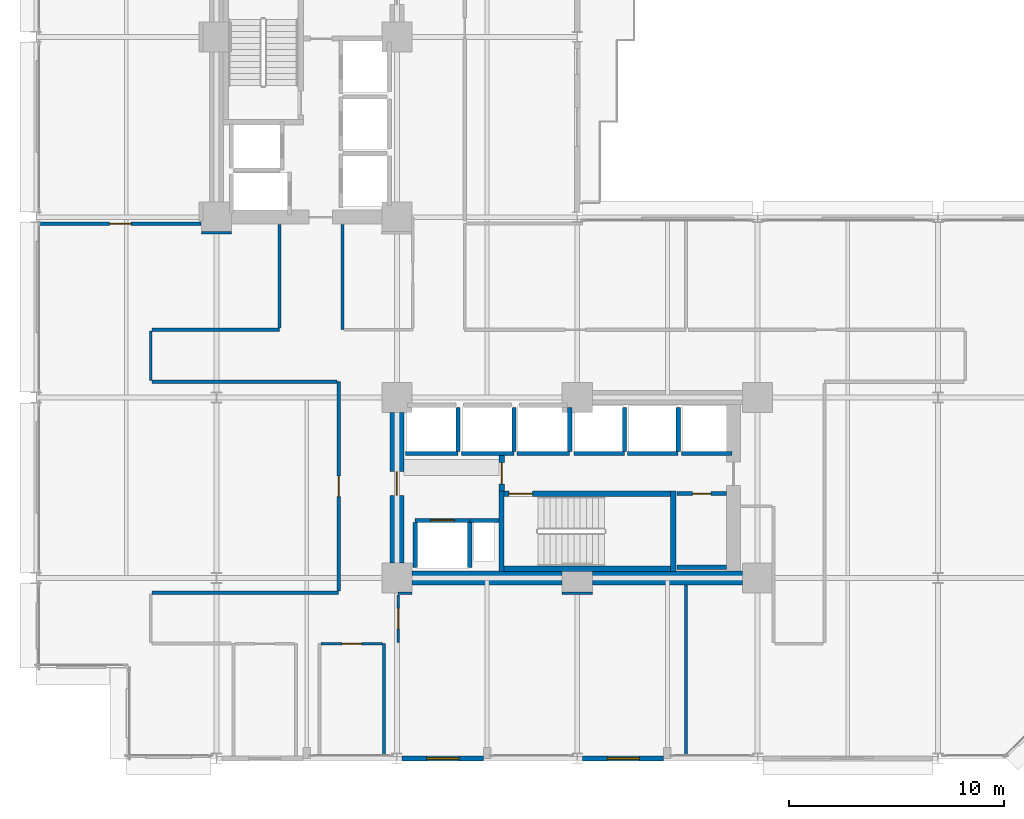
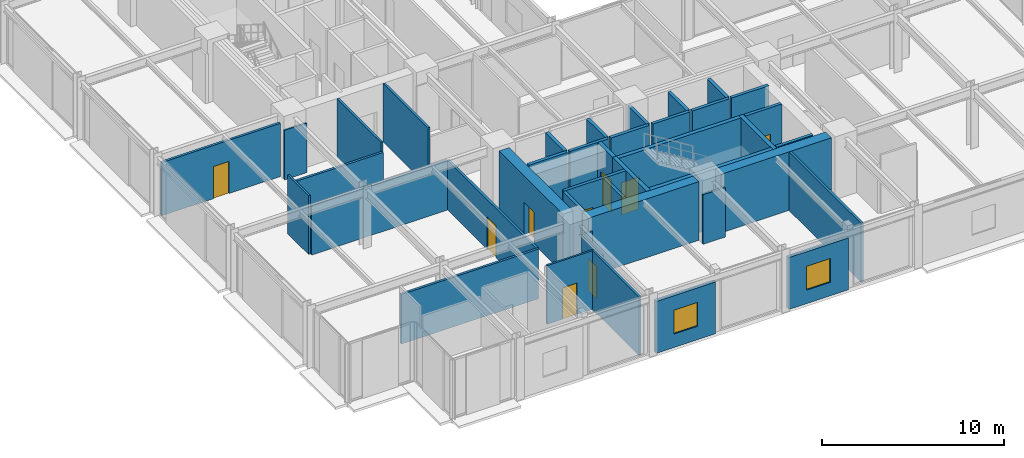
# One storey, part 20 of 25: 42 walls, 9 doors, 2 windows, 11 openings.
"""IFC4 building model written with IfcOpenShell, lengths in metres."""

from ifc_helpers import new_model, si_unit, direction, frame, frame_2d, origin, place, context, subcontext, project, spatial, rectangle, extrude, material, layer, layer_set, type_object, element, fill, save


model = new_model("IFC4")

# Units and contexts
model_context = context("Model", 3, precision=1e-05, world=origin(), true_north=direction((0.0, 1.0)))
body_context = subcontext(model_context, "Body", "Model", "MODEL_VIEW")
ifc_project = project(units=[si_unit("LENGTHUNIT", "METRE"), si_unit("AREAUNIT", "SQUARE_METRE"), si_unit("VOLUMEUNIT", "CUBIC_METRE"), si_unit("PLANEANGLEUNIT", "RADIAN"), si_unit("MASSUNIT", "GRAM", prefix="KILO")], contexts=[model_context])

# Site, building, storey
site_placement = place(None, origin())
site = spatial("IfcSite", under=ifc_project, at=site_placement, CompositionType="ELEMENT")
building_placement = place(site_placement, origin())
building = spatial("IfcBuilding", under=site, at=building_placement, Name="Nerrivon Quay Data Exchange", CompositionType="ELEMENT")
storey_placement = place(building_placement, frame((0.0, 0.0, 41.60009765625)))
storey = spatial("IfcBuildingStorey", under=building, at=storey_placement, Name="L09", CompositionType="ELEMENT", Elevation=41.60009765625)

# Wall, opening, window
ifc_material_1 = material(Name="Architectural terracotta precast concrete N50 (50 MPa)", Category="masonry")
ifc_layer_1 = layer(ifc_material_1, 0.239990234375)
ifc_layer_set_1 = layer_set([ifc_layer_1], Name="Architectural terracotta precast concrete N50 (50 MPa)")
wall_type_1 = type_object("IfcWallType", Name="EW-PREC-240", PredefinedType="STANDARD", material=ifc_layer_set_1)
wall_1_placement = place(storey_placement, frame((29.22509765625, 0.0, 0.0), z_axis=(0.0, 0.0, 1.0), x_axis=(-1.0, 0.0, 0.0)))
wall_1 = element("IfcWall", 1, at=wall_1_placement, inside=storey, type_object=wall_type_1, Name="L09 Podium Precast Spandrel Wall 5", PredefinedType="STANDARD", context=body_context, shape_type="SweptSolid", body=[
    extrude(rectangle(XDim=3.775146484375, YDim=0.239990234375, at=frame_2d((1.8876953125, 0.0))), origin(), (0.0, 0.0, 1.0), 3.470947265625),
])
opening_1_placement = place(wall_1_placement, frame((1.137451171875, 0.0, 0.89990234375)))
opening_1 = element("IfcOpeningElement", 2, at=opening_1_placement, cuts=wall_1, Name="Opening WN4", PredefinedType="OPENING", context=body_context, shape_type="SweptSolid", body=[
    extrude(rectangle(XDim=1.5, YDim=1.60009765625, at=frame_2d((0.75, 0.800048828125))), frame((0.0, 0.1298828125, 0.0), z_axis=(0.0, -1.0, 0.0), x_axis=(1.0, 0.0, 0.0)), (0.0, 0.0, 1.0), 0.260009765625),
])
ifc_material_2 = material(Name="Double-glazed low-E solar control glass", Category="glass")
window_type = type_object("IfcWindowType", Name="WIN-W4-1500x1600", PartitioningType="SINGLE_PANEL", PredefinedType="WINDOW", material=ifc_material_2)
window_1_placement = place(opening_1_placement, origin())
window_1 = element("IfcWindow", 3, at=window_1_placement, inside=storey, type_object=window_type, Name="L09 Solar Facade Window 5", OverallHeight=1.60009765625, OverallWidth=1.5, PartitioningType="SINGLE_PANEL", PredefinedType="WINDOW", context=body_context, shape_type="SweptSolid", body=[
    extrude(rectangle(XDim=1.5, YDim=1.60009765625, at=frame_2d((0.75, 0.800048828125))), frame((0.0, 0.030029296875, 0.0), z_axis=(0.0, -1.0, 0.0), x_axis=(1.0, 0.0, 0.0)), (0.0, 0.0, 1.0), 0.06005859375),
])
fill(opening_1, window_1)

wall_2_placement = place(storey_placement, frame((20.824951171875, 0.0, 0.0), z_axis=(0.0, 0.0, 1.0), x_axis=(-1.0, 0.0, 0.0)))
wall_2 = element("IfcWall", 4, at=wall_2_placement, inside=storey, type_object=wall_type_1, Name="L09 Podium Precast Spandrel Wall 7", PredefinedType="STANDARD", context=body_context, shape_type="SweptSolid", body=[
    extrude(rectangle(XDim=3.77490234375, YDim=0.239990234375, at=frame_2d((1.887451171875, 0.0))), origin(), (0.0, 0.0, 1.0), 3.470947265625),
])
opening_2_placement = place(wall_2_placement, frame((1.137451171875, 0.0, 0.89990234375)))
opening_2 = element("IfcOpeningElement", 5, at=opening_2_placement, cuts=wall_2, Name="Opening WN4", PredefinedType="OPENING", context=body_context, shape_type="SweptSolid", body=[
    extrude(rectangle(XDim=1.5, YDim=1.60009765625, at=frame_2d((0.75, 0.800048828125))), frame((0.0, 0.1298828125, 0.0), z_axis=(0.0, -1.0, 0.0), x_axis=(1.0, 0.0, 0.0)), (0.0, 0.0, 1.0), 0.260009765625),
])
window_2_placement = place(opening_2_placement, origin())
window_2 = element("IfcWindow", 6, at=window_2_placement, inside=storey, type_object=window_type, Name="L09 Solar Facade Window 7", OverallHeight=1.60009765625, OverallWidth=1.5, PartitioningType="SINGLE_PANEL", PredefinedType="WINDOW", context=body_context, shape_type="SweptSolid", body=[
    extrude(rectangle(XDim=1.5, YDim=1.60009765625, at=frame_2d((0.75, 0.800048828125))), frame((0.0, 0.030029296875, 0.0), z_axis=(0.0, -1.0, 0.0), x_axis=(1.0, 0.0, 0.0)), (0.0, 0.0, 1.0), 0.06005859375),
])
fill(opening_2, window_2)

# Walls
ifc_material_3 = material(Name="Concrete N80 (80 MPa)", Category="concrete")
ifc_layer_2 = layer(ifc_material_3, 0.64990234375)
ifc_layer_set_2 = layer_set([ifc_layer_2], Name="Concrete N80 (80 MPa)")
wall_type_2 = type_object("IfcWallType", Name="WALL-CW-850", PredefinedType="SHEAR", material=ifc_layer_set_2)
for number, where, z_axis, x_axis, name in (
    (7, (17.5, 8.39990234375, 0.0), (0.0, 0.0, 1.0), (1.0, 0.0, 0.0), "L09 East Split-Core Shear Wall ECW-S1"),
    (8, (25.89990234375, 8.39990234375, 0.0), (0.0, 0.0, 1.0), (1.0, 0.0, 0.0), "L09 East Split-Core Shear Wall ECW-S2"),
):
    element("IfcWall", number, at=place(storey_placement, frame(where, z_axis=z_axis, x_axis=x_axis)), inside=storey, type_object=wall_type_2, Name=name, PredefinedType="SHEAR", context=body_context, shape_type="SweptSolid", body=[
        extrude(rectangle(XDim=7.0, YDim=0.64990234375, at=frame_2d((3.5, 0.0))), origin(), (0.0, 0.0, 1.0), 3.9248046875),
    ])

# Wall, opening, door
wall_3_placement = place(storey_placement, frame((16.800048828125, 9.10009765625, 0.0), z_axis=(0.0, 0.0, 1.0), x_axis=(0.0, 1.0, 0.0)))
wall_3 = element("IfcWall", 9, at=wall_3_placement, inside=storey, type_object=wall_type_2, Name="L09 East Split-Core Shear Wall ECW-W1", PredefinedType="SHEAR", context=body_context, shape_type="SweptSolid", body=[
    extrude(rectangle(XDim=7.0, YDim=0.64990234375, at=frame_2d((3.5, 0.0))), origin(), (0.0, 0.0, 1.0), 3.9248046875),
])
opening_3_placement = place(wall_3_placement, frame((3.14990234375, 0.0, 0.0)))
opening_3 = element("IfcOpeningElement", 10, at=opening_3_placement, cuts=wall_3, Name="Opening FD-120", PredefinedType="OPENING", context=body_context, shape_type="SweptSolid", body=[
    extrude(rectangle(XDim=1.10009765625, YDim=2.14990234375, at=frame_2d((0.550048828125, 1.074951171875))), frame((0.0, 0.3349609375, 0.0), z_axis=(0.0, -1.0, 0.0), x_axis=(1.0, 0.0, 0.0)), (0.0, 0.0, 1.0), 0.669921875),
])
ifc_material_4 = material(Name="Powder-coated galvanized steel sheet", Category="steel")
door_type_1 = type_object("IfcDoorType", Name="DR-FD120-1100", OperationType="NOTDEFINED", PredefinedType="DOOR", material=ifc_material_4)
door_1_placement = place(opening_3_placement, origin())
door_1 = element("IfcDoor", 11, at=door_1_placement, inside=storey, type_object=door_type_1, Name="L09 East Core Lobby Fire Door", OperationType="SINGLE_SWING_RIGHT", OverallHeight=2.14990234375, OverallWidth=1.10009765625, PredefinedType="DOOR", context=body_context, shape_type="SweptSolid", body=[
    extrude(rectangle(XDim=1.10009765625, YDim=2.14990234375, at=frame_2d((0.550048828125, 1.074951171875))), frame((0.0, 0.02490234375, 0.0), z_axis=(0.0, -1.0, 0.0), x_axis=(1.0, 0.0, 0.0)), (0.0, 0.0, 1.0), 0.050048828125),
])
fill(opening_3, door_1)

# Wall
ifc_material_5 = material(Name="Gypsum plasterboard on cold-formed framing", Category="gypsum")
ifc_layer_3 = layer(ifc_material_5, 0.199951171875)
ifc_layer_set_3 = layer_set([ifc_layer_3], Name="Gypsum plasterboard on cold-formed framing")
wall_type_3 = type_object("IfcWallType", Name="WALL-FW-200", PredefinedType="PARTITIONING", material=ifc_layer_set_3)
wall_4_placement = place(storey_placement, frame((20.199951171875, 11.080078125, 0.0), z_axis=(0.0, 0.0, 1.0), x_axis=(1.0, 0.0, 0.0)))
element("IfcWall", 12, at=wall_4_placement, inside=storey, type_object=wall_type_3, Name="L09 East Core MEP Riser Shaft Wall N", PredefinedType="PARTITIONING", context=body_context, shape_type="SweptSolid", body=[
    extrude(rectangle(XDim=1.35009765625, YDim=0.199951171875, at=frame_2d((0.675048828125, 0.0))), origin(), (0.0, 0.0, 1.0), 3.9248046875),
])

# Wall, opening, door
wall_5_placement = place(storey_placement, frame((17.64990234375, 11.080078125, 0.0), z_axis=(0.0, 0.0, 1.0), x_axis=(1.0, 0.0, 0.0)))
wall_5 = element("IfcWall", 13, at=wall_5_placement, inside=storey, type_object=wall_type_3, Name="L09 Lift Front Wall FFL-2", PredefinedType="PARTITIONING", context=body_context, shape_type="SweptSolid", body=[
    extrude(rectangle(XDim=2.550048828125, YDim=0.199951171875, at=frame_2d((1.27490234375, 0.0))), origin(), (0.0, 0.0, 1.0), 3.9248046875),
])
opening_4_placement = place(wall_5_placement, frame((0.72509765625, 0.0, 0.0)))
opening_4 = element("IfcOpeningElement", 14, at=opening_4_placement, cuts=wall_5, Name="Opening LD-120", PredefinedType="OPENING", context=body_context, shape_type="SweptSolid", body=[
    extrude(rectangle(XDim=1.10009765625, YDim=2.199951171875, at=frame_2d((0.550048828125, 1.10009765625))), frame((0.0, 0.10986328125, 0.0), z_axis=(0.0, -1.0, 0.0), x_axis=(1.0, 0.0, 0.0)), (0.0, 0.0, 1.0), 0.219970703125),
])
door_type_2 = type_object("IfcDoorType", Name="DR-LIFT-LD120", OperationType="DOUBLE_DOOR_SLIDING", PredefinedType="DOOR", material=ifc_material_4)
door_2_placement = place(opening_4_placement, origin())
door_2 = element("IfcDoor", 15, at=door_2_placement, inside=storey, type_object=door_type_2, Name="L09 Lift Landing Sliding Door FFL-2", OperationType="DOUBLE_DOOR_SLIDING", OverallHeight=2.199951171875, OverallWidth=1.10009765625, PredefinedType="DOOR", context=body_context, shape_type="SweptSolid", body=[
    extrude(rectangle(XDim=1.10009765625, YDim=2.199951171875, at=frame_2d((0.550048828125, 1.10009765625))), frame((0.0, 0.02490234375, 0.0), z_axis=(0.0, -1.0, 0.0), x_axis=(1.0, 0.0, 0.0)), (0.0, 0.0, 1.0), 0.050048828125),
])
fill(opening_4, door_2)

# Walls
for number, where, z_axis, x_axis, name in (
    (16, (20.199951171875, 8.8798828125, 0.0), (0.0, 0.0, 1.0), (0.0, 1.0, 0.0), "L09 Lift Shaft Wall FFL-2 EAST"),
    (17, (17.64990234375, 8.8798828125, 0.0), (0.0, 0.0, 1.0), (0.0, 1.0, 0.0), "L09 Lift Shaft Wall FFL-2 WEST"),
):
    element("IfcWall", number, at=place(storey_placement, frame(where, z_axis=z_axis, x_axis=x_axis)), inside=storey, type_object=wall_type_3, Name=name, PredefinedType="PARTITIONING", context=body_context, shape_type="SweptSolid", body=[
        extrude(rectangle(XDim=2.10009765625, YDim=0.199951171875, at=frame_2d((1.050048828125, 0.0))), origin(), (0.0, 0.0, 1.0), 3.9248046875),
    ])
wall_6_placement = place(storey_placement, frame((17.199951171875, 14.199951171875, 0.0), z_axis=(0.0, 0.0, 1.0), x_axis=(1.0, 0.0, 0.0)))
element("IfcWall", 18, at=wall_6_placement, inside=storey, type_object=wall_type_3, Name="L09 Lift Front Wall PL4", PredefinedType="PARTITIONING", context=body_context, shape_type="SweptSolid", body=[
    extrude(rectangle(XDim=2.449951171875, YDim=0.199951171875, at=frame_2d((1.22509765625, 0.0))), origin(), (0.0, 0.0, 1.0), 3.9248046875),
])
wall_7_placement = place(storey_placement, frame((19.64990234375, 14.300048828125, 0.0), z_axis=(0.0, 0.0, 1.0), x_axis=(0.0, 1.0, 0.0)))
element("IfcWall", 19, at=wall_7_placement, inside=storey, type_object=wall_type_3, Name="L09 Lift Shaft Wall PL4 EAST", PredefinedType="PARTITIONING", context=body_context, shape_type="SweptSolid", body=[
    extrude(rectangle(XDim=2.050048828125, YDim=0.199951171875, at=frame_2d((1.02490234375, 0.0))), origin(), (0.0, 0.0, 1.0), 3.9248046875),
])
wall_8_placement = place(storey_placement, frame((19.800048828125, 14.199951171875, 0.0), z_axis=(0.0, 0.0, 1.0), x_axis=(1.0, 0.0, 0.0)))
element("IfcWall", 20, at=wall_8_placement, inside=storey, type_object=wall_type_3, Name="L09 Lift Front Wall PL5", PredefinedType="PARTITIONING", context=body_context, shape_type="SweptSolid", body=[
    extrude(rectangle(XDim=2.449951171875, YDim=0.199951171875, at=frame_2d((1.22509765625, 0.0))), origin(), (0.0, 0.0, 1.0), 3.9248046875),
])
wall_9_placement = place(storey_placement, frame((22.25, 14.300048828125, 0.0), z_axis=(0.0, 0.0, 1.0), x_axis=(0.0, 1.0, 0.0)))
element("IfcWall", 21, at=wall_9_placement, inside=storey, type_object=wall_type_3, Name="L09 Lift Shaft Wall PL5 EAST", PredefinedType="PARTITIONING", context=body_context, shape_type="SweptSolid", body=[
    extrude(rectangle(XDim=2.050048828125, YDim=0.199951171875, at=frame_2d((1.02490234375, 0.0))), origin(), (0.0, 0.0, 1.0), 3.9248046875),
])
wall_10_placement = place(storey_placement, frame((22.39990234375, 14.199951171875, 0.0), z_axis=(0.0, 0.0, 1.0), x_axis=(1.0, 0.0, 0.0)))
element("IfcWall", 22, at=wall_10_placement, inside=storey, type_object=wall_type_3, Name="L09 Lift Front Wall PL6", PredefinedType="PARTITIONING", context=body_context, shape_type="SweptSolid", body=[
    extrude(rectangle(XDim=2.4501953125, YDim=0.199951171875, at=frame_2d((1.22509765625, 0.0))), origin(), (0.0, 0.0, 1.0), 3.9248046875),
])
wall_11_placement = place(storey_placement, frame((24.85009765625, 14.300048828125, 0.0), z_axis=(0.0, 0.0, 1.0), x_axis=(0.0, 1.0, 0.0)))
element("IfcWall", 23, at=wall_11_placement, inside=storey, type_object=wall_type_3, Name="L09 Lift Shaft Wall PL6 EAST", PredefinedType="PARTITIONING", context=body_context, shape_type="SweptSolid", body=[
    extrude(rectangle(XDim=2.050048828125, YDim=0.199951171875, at=frame_2d((1.02490234375, 0.0))), origin(), (0.0, 0.0, 1.0), 3.9248046875),
])
wall_12_placement = place(storey_placement, frame((25.050048828125, 14.199951171875, 0.0), z_axis=(0.0, 0.0, 1.0), x_axis=(1.0, 0.0, 0.0)))
element("IfcWall", 24, at=wall_12_placement, inside=storey, type_object=wall_type_3, Name="L09 Lift Front Wall PL7", PredefinedType="PARTITIONING", context=body_context, shape_type="SweptSolid", body=[
    extrude(rectangle(XDim=2.349853515625, YDim=0.199951171875, at=frame_2d((1.1748046875, 0.0))), origin(), (0.0, 0.0, 1.0), 3.9248046875),
])
wall_13_placement = place(storey_placement, frame((27.39990234375, 14.300048828125, 0.0), z_axis=(0.0, 0.0, 1.0), x_axis=(0.0, 1.0, 0.0)))
element("IfcWall", 25, at=wall_13_placement, inside=storey, type_object=wall_type_3, Name="L09 Lift Shaft Wall PL7 EAST", PredefinedType="PARTITIONING", context=body_context, shape_type="SweptSolid", body=[
    extrude(rectangle(XDim=2.050048828125, YDim=0.199951171875, at=frame_2d((1.02490234375, 0.0))), origin(), (0.0, 0.0, 1.0), 3.9248046875),
])
wall_14_placement = place(storey_placement, frame((27.550048828125, 14.199951171875, 0.0), z_axis=(0.0, 0.0, 1.0), x_axis=(1.0, 0.0, 0.0)))
element("IfcWall", 26, at=wall_14_placement, inside=storey, type_object=wall_type_3, Name="L09 Lift Front Wall PL8", PredefinedType="PARTITIONING", context=body_context, shape_type="SweptSolid", body=[
    extrude(rectangle(XDim=2.349853515625, YDim=0.199951171875, at=frame_2d((1.1748046875, 0.0))), origin(), (0.0, 0.0, 1.0), 3.9248046875),
])
wall_15_placement = place(storey_placement, frame((29.89990234375, 14.300048828125, 0.0), z_axis=(0.0, 0.0, 1.0), x_axis=(0.0, 1.0, 0.0)))
element("IfcWall", 27, at=wall_15_placement, inside=storey, type_object=wall_type_3, Name="L09 Lift Shaft Wall PL8 EAST", PredefinedType="PARTITIONING", context=body_context, shape_type="SweptSolid", body=[
    extrude(rectangle(XDim=2.050048828125, YDim=0.199951171875, at=frame_2d((1.02490234375, 0.0))), origin(), (0.0, 0.0, 1.0), 3.9248046875),
])
wall_16_placement = place(storey_placement, frame((30.050048828125, 14.199951171875, 0.0), z_axis=(0.0, 0.0, 1.0), x_axis=(1.0, 0.0, 0.0)))
element("IfcWall", 28, at=wall_16_placement, inside=storey, type_object=wall_type_3, Name="L09 Lift Front Wall PL9", PredefinedType="PARTITIONING", context=body_context, shape_type="SweptSolid", body=[
    extrude(rectangle(XDim=2.349853515625, YDim=0.199951171875, at=frame_2d((1.1748046875, 0.0))), origin(), (0.0, 0.0, 1.0), 3.9248046875),
])

# Wall, opening, door
wall_17_placement = place(storey_placement, frame((32.14599609375, 12.330078125, 0.0), z_axis=(0.0, 0.0, 1.0), x_axis=(-1.0, 0.0, 0.0)))
wall_17 = element("IfcWall", 29, at=wall_17_placement, inside=storey, type_object=wall_type_3, Name="L09 Partition East Supply Store", PredefinedType="PARTITIONING", context=body_context, shape_type="SweptSolid", body=[
    extrude(rectangle(XDim=2.2958984375, YDim=0.199951171875, at=frame_2d((1.14794921875, 0.0))), origin(), (0.0, 0.0, 1.0), 3.9248046875),
])
opening_5_placement = place(wall_17_placement, frame((0.722900390625, 0.0, 0.0)))
opening_5 = element("IfcOpeningElement", 30, at=opening_5_placement, cuts=wall_17, Name="Opening FD-60S", PredefinedType="OPENING", context=body_context, shape_type="SweptSolid", body=[
    extrude(rectangle(XDim=0.85009765625, YDim=2.14990234375, at=frame_2d((0.425048828125, 1.074951171875))), frame((0.0, 0.10986328125, 0.0), z_axis=(0.0, -1.0, 0.0), x_axis=(1.0, 0.0, 0.0)), (0.0, 0.0, 1.0), 0.219970703125),
])
ifc_material_6 = material(Name="Engineered hardwood timber", Category="wood")
door_type_3 = type_object("IfcDoorType", Name="DR-FD60-850", OperationType="NOTDEFINED", PredefinedType="DOOR", material=ifc_material_6)
door_3_placement = place(opening_5_placement, origin())
door_3 = element("IfcDoor", 31, at=door_3_placement, inside=storey, type_object=door_type_3, Name="L09 Door East Supply Store", OperationType="SINGLE_SWING_LEFT", OverallHeight=2.14990234375, OverallWidth=0.85009765625, PredefinedType="DOOR", context=body_context, shape_type="SweptSolid", body=[
    extrude(rectangle(XDim=0.85009765625, YDim=2.14990234375, at=frame_2d((0.425048828125, 1.074951171875))), frame((0.0, 0.02490234375, 0.0), z_axis=(0.0, -1.0, 0.0), x_axis=(1.0, 0.0, 0.0)), (0.0, 0.0, 1.0), 0.050048828125),
])
fill(opening_5, door_3)

# Wall
wall_18_placement = place(storey_placement, frame((29.85009765625, 8.89990234375, 0.0), z_axis=(0.0, 0.0, 1.0), x_axis=(1.0, 0.0, 0.0)))
element("IfcWall", 32, at=wall_18_placement, inside=storey, type_object=wall_type_3, Name="L09 Partition East Supply Store", PredefinedType="PARTITIONING", context=body_context, shape_type="SweptSolid", body=[
    extrude(rectangle(XDim=2.2958984375, YDim=0.199951171875, at=frame_2d((1.14794921875, 0.0))), origin(), (0.0, 0.0, 1.0), 3.9248046875),
])

# Wall, opening, door
ifc_layer_4 = layer(ifc_material_5, 0.1201171875)
ifc_layer_set_4 = layer_set([ifc_layer_4], Name="Gypsum plasterboard on cold-formed framing")
wall_type_4 = type_object("IfcWallType", Name="WALL-PT-120", PredefinedType="PARTITIONING", material=ifc_layer_set_4)
wall_19_placement = place(storey_placement, frame((16.12841796875, 5.340087890625, 0.0), z_axis=(0.0, 0.0, 1.0), x_axis=(-1.0, 0.0, 0.0)))
wall_19 = element("IfcWall", 33, at=wall_19_placement, inside=storey, type_object=wall_type_4, Name="L09 Partition Accessible Toilet", PredefinedType="PARTITIONING", context=body_context, shape_type="SweptSolid", body=[
    extrude(rectangle(XDim=2.85693359375, YDim=0.1201171875, at=frame_2d((1.428466796875, 0.0))), origin(), (0.0, 0.0, 1.0), 3.9248046875),
])
opening_6_placement = place(wall_19_placement, frame((0.968505859375, 0.0, 0.0)))
opening_6 = element("IfcOpeningElement", 34, at=opening_6_placement, cuts=wall_19, Name="Opening D-WC", PredefinedType="OPENING", context=body_context, shape_type="SweptSolid", body=[
    extrude(rectangle(XDim=0.919921875, YDim=2.10009765625, at=frame_2d((0.4599609375, 1.050048828125))), frame((0.0, 0.070068359375, 0.0), z_axis=(0.0, -1.0, 0.0), x_axis=(1.0, 0.0, 0.0)), (0.0, 0.0, 1.0), 0.14013671875),
])
door_type_4 = type_object("IfcDoorType", Name="DR-WC-920", OperationType="NOTDEFINED", PredefinedType="DOOR", material=ifc_material_6)
door_4_placement = place(opening_6_placement, origin())
door_4 = element("IfcDoor", 35, at=door_4_placement, inside=storey, type_object=door_type_4, Name="L09 Door Accessible Toilet", OperationType="SINGLE_SWING_RIGHT", OverallHeight=2.10009765625, OverallWidth=0.919921875, PredefinedType="DOOR", context=body_context, shape_type="SweptSolid", body=[
    extrude(rectangle(XDim=0.919921875, YDim=2.10009765625, at=frame_2d((0.4599609375, 1.050048828125))), frame((0.0, 0.02490234375, 0.0), z_axis=(0.0, -1.0, 0.0), x_axis=(1.0, 0.0, 0.0)), (0.0, 0.0, 1.0), 0.050048828125),
])
fill(opening_6, door_4)

# Walls
wall_20_placement = place(storey_placement, frame((25.90576171875, 7.680908203125, 0.0), z_axis=(0.0, 0.0, 1.0), x_axis=(-0.999999758706, -0.000694685487, 0.0)))
element("IfcWall", 36, at=wall_20_placement, inside=storey, type_object=wall_type_4, Name="L09 Partition Peering Huddle Meeting Room", PredefinedType="PARTITIONING", context=body_context, shape_type="SweptSolid", body=[
    extrude(rectangle(XDim=1.40576171875, YDim=0.1201171875, at=frame_2d((0.702880859375, 0.0))), origin(), (0.0, 0.0, 1.0), 3.322998046875),
])
wall_21_placement = place(storey_placement, frame((17.5, 7.679931640625, 0.0), z_axis=(0.0, 0.0, 1.0), x_axis=(-1.0, 0.0, 0.0)))
element("IfcWall", 37, at=wall_21_placement, inside=storey, type_object=wall_type_4, Name="L09 Partition Peering Huddle Meeting Room", PredefinedType="PARTITIONING", context=body_context, shape_type="SweptSolid", body=[
    extrude(rectangle(XDim=0.639892578125, YDim=0.1201171875, at=frame_2d((0.31982421875, 0.0))), origin(), (0.0, 0.0, 1.0), 3.322998046875),
])

# Wall, opening, door
wall_22_placement = place(storey_placement, frame((16.860107421875, 7.615966796875, 0.0), z_axis=(0.0, 0.0, 1.0), x_axis=(0.0, -1.0, 0.0)))
wall_22 = element("IfcWall", 38, at=wall_22_placement, inside=storey, type_object=wall_type_4, Name="L09 Partition Peering Huddle Meeting Room", PredefinedType="PARTITIONING", context=body_context, shape_type="SweptSolid", body=[
    extrude(rectangle(XDim=2.216064453125, YDim=0.1201171875, at=frame_2d((1.10791015625, 0.0))), origin(), (0.0, 0.0, 1.0), 3.322998046875),
])
opening_7_placement = place(wall_22_placement, frame((0.633056640625, 0.0, 0.0)))
opening_7 = element("IfcOpeningElement", 39, at=opening_7_placement, cuts=wall_22, Name="Opening D-01", PredefinedType="OPENING", context=body_context, shape_type="SweptSolid", body=[
    extrude(rectangle(XDim=0.949951171875, YDim=2.14990234375, at=frame_2d((0.47509765625, 1.074951171875))), frame((0.0, 0.070068359375, 0.0), z_axis=(0.0, -1.0, 0.0), x_axis=(1.0, 0.0, 0.0)), (0.0, 0.0, 1.0), 0.14013671875),
])
door_type_5 = type_object("IfcDoorType", Name="DR-INT-950", OperationType="NOTDEFINED", PredefinedType="DOOR", material=ifc_material_6)
door_5_placement = place(opening_7_placement, origin())
door_5 = element("IfcDoor", 40, at=door_5_placement, inside=storey, type_object=door_type_5, Name="L09 Door Peering Huddle Meeting Room", OperationType="SINGLE_SWING_RIGHT", OverallHeight=2.14990234375, OverallWidth=0.949951171875, PredefinedType="DOOR", context=body_context, shape_type="SweptSolid", body=[
    extrude(rectangle(XDim=0.949951171875, YDim=2.14990234375, at=frame_2d((0.47509765625, 1.074951171875))), frame((0.0, 0.02490234375, 0.0), z_axis=(0.0, -1.0, 0.0), x_axis=(1.0, 0.0, 0.0)), (0.0, 0.0, 1.0), 0.050048828125),
])
fill(opening_7, door_5)

# Walls
wall_23_placement = place(storey_placement, frame((9.105712890625, 24.48095703125, 0.0), z_axis=(0.0, 0.0, 1.0), x_axis=(-0.999999758706, -0.000694685487, 0.0)))
element("IfcWall", 41, at=wall_23_placement, inside=storey, type_object=wall_type_4, Name="L09 Partition Cloud Compute Workspace 1", PredefinedType="PARTITIONING", context=body_context, shape_type="SweptSolid", body=[
    extrude(rectangle(XDim=1.40576171875, YDim=0.1201171875, at=frame_2d((0.702880859375, 0.0))), origin(), (0.0, 0.0, 1.0), 3.322998046875),
])
wall_24_placement = place(storey_placement, frame((5.340087890625, 17.60009765625, 0.0), z_axis=(0.0, 0.0, 1.0), x_axis=(0.0, 1.0, 0.0)))
element("IfcWall", 42, at=wall_24_placement, inside=storey, type_object=wall_type_4, Name="L09 Partition Cloud Compute Workspace 1", PredefinedType="PARTITIONING", context=body_context, shape_type="SweptSolid", body=[
    extrude(rectangle(XDim=2.2998046875, YDim=0.1201171875, at=frame_2d((1.14990234375, 0.0))), origin(), (0.0, 0.0, 1.0), 3.9248046875),
])
ifc_layer_5 = layer(ifc_material_5, 0.135009765625)
ifc_layer_set_5 = layer_set([ifc_layer_5], Name="Gypsum plasterboard on cold-formed framing")
wall_type_5 = type_object("IfcWallType", Name="WALL-PT-135", PredefinedType="PARTITIONING", material=ifc_layer_set_5)
wall_25_placement = place(storey_placement, frame((16.199951171875, 0.1689453125, 0.0), z_axis=(0.0, 0.0, 1.0), x_axis=(0.0, 1.0, 0.0)))
element("IfcWall", 43, at=wall_25_placement, inside=storey, type_object=wall_type_5, Name="L09 Partition Accessible Toilet", PredefinedType="PARTITIONING", context=body_context, shape_type="SweptSolid", body=[
    extrude(rectangle(XDim=5.171142578125, YDim=0.135009765625, at=frame_2d((2.58544921875, 0.0))), origin(), (0.0, 0.0, 1.0), 3.9248046875),
])
wall_26_placement = place(storey_placement, frame((14.260009765625, 24.87109375, 0.0), z_axis=(0.0, 0.0, 1.0), x_axis=(0.0, -1.0, 0.0)))
element("IfcWall", 44, at=wall_26_placement, inside=storey, type_object=wall_type_5, Name="L09 Partition Staff Pantry", PredefinedType="PARTITIONING", context=body_context, shape_type="SweptSolid", body=[
    extrude(rectangle(XDim=4.9111328125, YDim=0.135009765625, at=frame_2d((2.45556640625, 0.0))), origin(), (0.0, 0.0, 1.0), 3.9248046875),
])
wall_27_placement = place(storey_placement, frame((11.340087890625, 20.0390625, 0.0), z_axis=(0.0, 0.0, 1.0), x_axis=(0.0, 1.0, 0.0)))
element("IfcWall", 45, at=wall_27_placement, inside=storey, type_object=wall_type_5, Name="L09 Partition Cloud Compute Workspace 1", PredefinedType="PARTITIONING", context=body_context, shape_type="SweptSolid", body=[
    extrude(rectangle(XDim=4.83203125, YDim=0.135009765625, at=frame_2d((2.416015625, 0.0))), origin(), (0.0, 0.0, 1.0), 3.9248046875),
])
ifc_layer_6 = layer(ifc_material_5, 0.14990234375)
ifc_layer_set_6 = layer_set([ifc_layer_6], Name="Gypsum plasterboard on cold-formed framing")
wall_type_6 = type_object("IfcWallType", Name="WALL-PT-150", PredefinedType="PARTITIONING", material=ifc_layer_set_6)
wall_28_placement = place(storey_placement, frame((30.268798828125, 0.1689453125, 0.0), z_axis=(0.0, 0.0, 1.0), x_axis=(0.0, 1.0, 0.0)))
element("IfcWall", 46, at=wall_28_placement, inside=storey, type_object=wall_type_6, Name="L09 Partition Peering Huddle Meeting Room", PredefinedType="PARTITIONING", context=body_context, shape_type="SweptSolid", body=[
    extrude(rectangle(XDim=7.902099609375, YDim=0.14990234375, at=frame_2d((3.951171875, 0.0))), origin(), (0.0, 0.0, 1.0), 3.9248046875),
])

# Wall, opening, door
wall_29_placement = place(storey_placement, frame((7.679931640625, 24.90087890625, 0.0), z_axis=(0.0, 0.0, 1.0), x_axis=(-1.0, 0.0, 0.0)))
wall_29 = element("IfcWall", 47, at=wall_29_placement, inside=storey, type_object=wall_type_6, Name="L09 Partition Cloud Compute Workspace 1", PredefinedType="PARTITIONING", context=body_context, shape_type="SweptSolid", body=[
    extrude(rectangle(XDim=7.510986328125, YDim=0.14990234375, at=frame_2d((3.75537109375, 0.0))), origin(), (0.0, 0.0, 1.0), 3.56591796875),
])
opening_8_placement = place(wall_29_placement, frame((3.255615234375, 0.0, 0.0)))
opening_8 = element("IfcOpeningElement", 48, at=opening_8_placement, cuts=wall_29, Name="Opening FD-60", PredefinedType="OPENING", context=body_context, shape_type="SweptSolid", body=[
    extrude(rectangle(XDim=1.0, YDim=2.14990234375, at=frame_2d((0.5, 1.074951171875))), frame((0.0, 0.0849609375, 0.0), z_axis=(0.0, -1.0, 0.0), x_axis=(1.0, 0.0, 0.0)), (0.0, 0.0, 1.0), 0.169921875),
])
door_type_6 = type_object("IfcDoorType", Name="DR-FD60-1000", OperationType="NOTDEFINED", PredefinedType="DOOR", material=ifc_material_6)
door_6_placement = place(opening_8_placement, origin())
door_6 = element("IfcDoor", 49, at=door_6_placement, inside=storey, type_object=door_type_6, Name="L09 Door Colocation Data Workspace 1", OperationType="SINGLE_SWING_LEFT", OverallHeight=2.14990234375, OverallWidth=1.0, PredefinedType="DOOR", context=body_context, shape_type="SweptSolid", body=[
    extrude(rectangle(XDim=1.0, YDim=2.14990234375, at=frame_2d((0.5, 1.074951171875))), frame((0.0, 0.02490234375, 0.0), z_axis=(0.0, -1.0, 0.0), x_axis=(1.0, 0.0, 0.0)), (0.0, 0.0, 1.0), 0.050048828125),
])
fill(opening_8, door_6)

# Wall
wall_30_placement = place(storey_placement, frame((5.39990234375, 7.7099609375, 0.0), z_axis=(0.0, 0.0, 1.0), x_axis=(1.0, 0.0, 0.0)))
element("IfcWall", 50, at=wall_30_placement, inside=storey, type_object=wall_type_6, Name="L09 Partition Cloud Compute Workspace 1", PredefinedType="PARTITIONING", context=body_context, shape_type="SweptSolid", body=[
    extrude(rectangle(XDim=8.690185546875, YDim=0.14990234375, at=frame_2d((4.34521484375, 0.0))), origin(), (0.0, 0.0, 1.0), 3.322998046875),
])

# Wall, opening, door
wall_31_placement = place(storey_placement, frame((14.090087890625, 7.7890625, 0.0), z_axis=(0.0, 0.0, 1.0), x_axis=(0.0, 1.0, 0.0)))
wall_31 = element("IfcWall", 51, at=wall_31_placement, inside=storey, type_object=wall_type_6, Name="L09 Partition Cloud Compute Workspace 1", PredefinedType="PARTITIONING", context=body_context, shape_type="SweptSolid", body=[
    extrude(rectangle(XDim=9.7509765625, YDim=0.14990234375, at=frame_2d((4.87548828125, 0.0))), origin(), (0.0, 0.0, 1.0), 3.31298828125),
])
opening_9_placement = place(wall_31_placement, frame((4.400390625, 0.0, 0.0)))
opening_9 = element("IfcOpeningElement", 52, at=opening_9_placement, cuts=wall_31, Name="Opening D-01", PredefinedType="OPENING", context=body_context, shape_type="SweptSolid", body=[
    extrude(rectangle(XDim=0.949951171875, YDim=2.14990234375, at=frame_2d((0.47509765625, 1.074951171875))), frame((0.0, 0.0849609375, 0.0), z_axis=(0.0, -1.0, 0.0), x_axis=(1.0, 0.0, 0.0)), (0.0, 0.0, 1.0), 0.169921875),
])
door_7_placement = place(opening_9_placement, origin())
door_7 = element("IfcDoor", 53, at=door_7_placement, inside=storey, type_object=door_type_5, Name="L09 Door Cloud Compute Workspace 1", OperationType="SINGLE_SWING_RIGHT", OverallHeight=2.14990234375, OverallWidth=0.949951171875, PredefinedType="DOOR", context=body_context, shape_type="SweptSolid", body=[
    extrude(rectangle(XDim=0.949951171875, YDim=2.14990234375, at=frame_2d((0.47509765625, 1.074951171875))), frame((0.0, 0.02490234375, 0.0), z_axis=(0.0, -1.0, 0.0), x_axis=(1.0, 0.0, 0.0)), (0.0, 0.0, 1.0), 0.050048828125),
])
fill(opening_9, door_7)

# Walls
wall_32_placement = place(storey_placement, frame((14.010986328125, 17.5400390625, 0.0), z_axis=(0.0, 0.0, 1.0), x_axis=(-1.0, 0.0, 0.0)))
element("IfcWall", 54, at=wall_32_placement, inside=storey, type_object=wall_type_6, Name="L09 Partition Cloud Compute Workspace 1", PredefinedType="PARTITIONING", context=body_context, shape_type="SweptSolid", body=[
    extrude(rectangle(XDim=8.611083984375, YDim=0.14990234375, at=frame_2d((4.3056640625, 0.0))), origin(), (0.0, 0.0, 1.0), 3.322998046875),
])
wall_33_placement = place(storey_placement, frame((5.39990234375, 19.9599609375, 0.0), z_axis=(0.0, 0.0, 1.0), x_axis=(1.0, 0.0, 0.0)))
element("IfcWall", 55, at=wall_33_placement, inside=storey, type_object=wall_type_6, Name="L09 Partition Cloud Compute Workspace 1", PredefinedType="PARTITIONING", context=body_context, shape_type="SweptSolid", body=[
    extrude(rectangle(XDim=5.940185546875, YDim=0.14990234375, at=frame_2d((2.97021484375, 0.0))), origin(), (0.0, 0.0, 1.0), 3.322998046875),
])
ifc_material_7 = material(Name="Concrete N50 (50 MPa)", Category="concrete")
ifc_layer_7 = layer(ifc_material_7, 0.25)
ifc_layer_set_7 = layer_set([ifc_layer_7], Name="Concrete N50 (50 MPa)")
wall_type_7 = type_object("IfcWallType", Name="WALL-SW-250", PredefinedType="SHEAR", material=ifc_layer_set_7)
for number, where, z_axis, x_axis, name in (
    (56, (21.675048828125, 8.699951171875, 0.0), (0.0, 0.0, 1.0), (0.0, 1.0, 0.0), "L09 ST02 Structural Stair Core Wall NEAR"),
    (57, (29.675048828125, 8.699951171875, 0.0), (0.0, 0.0, 1.0), (0.0, 1.0, 0.0), "L09 ST02 Structural Stair Core Wall FAR"),
):
    element("IfcWall", number, at=place(storey_placement, frame(where, z_axis=z_axis, x_axis=x_axis)), inside=storey, type_object=wall_type_7, Name=name, PredefinedType="SHEAR", context=body_context, shape_type="SweptSolid", body=[
        extrude(rectangle(XDim=3.75, YDim=0.25, at=frame_2d((1.875, 0.0))), origin(), (0.0, 0.0, 1.0), 3.9248046875),
    ])
wall_34_placement = place(storey_placement, frame((21.800048828125, 8.824951171875, 0.0), z_axis=(0.0, 0.0, 1.0), x_axis=(1.0, 0.0, 0.0)))
element("IfcWall", 58, at=wall_34_placement, inside=storey, type_object=wall_type_7, Name="L09 ST02 Structural Stair Core Wall LEFT", PredefinedType="SHEAR", context=body_context, shape_type="SweptSolid", body=[
    extrude(rectangle(XDim=7.75, YDim=0.25, at=frame_2d((3.875, 0.0))), origin(), (0.0, 0.0, 1.0), 3.9248046875),
])

# Wall, opening, door
wall_35_placement = place(storey_placement, frame((21.800048828125, 12.324951171875, 0.0), z_axis=(0.0, 0.0, 1.0), x_axis=(1.0, 0.0, 0.0)))
wall_35 = element("IfcWall", 59, at=wall_35_placement, inside=storey, type_object=wall_type_7, Name="L09 ST02 Structural Stair Core Wall RIGHT", PredefinedType="SHEAR", context=body_context, shape_type="SweptSolid", body=[
    extrude(rectangle(XDim=7.75, YDim=0.25, at=frame_2d((3.875, 0.0))), origin(), (0.0, 0.0, 1.0), 3.9248046875),
])
opening_10_placement = place(wall_35_placement, frame((0.219970703125, 0.0, 0.0)))
opening_10 = element("IfcOpeningElement", 60, at=opening_10_placement, cuts=wall_35, Name="Opening FD-120", PredefinedType="OPENING", context=body_context, shape_type="SweptSolid", body=[
    extrude(rectangle(XDim=1.10009765625, YDim=2.14990234375, at=frame_2d((0.550048828125, 1.074951171875))), frame((0.0, 0.135009765625, 0.0), z_axis=(0.0, -1.0, 0.0), x_axis=(1.0, 0.0, 0.0)), (0.0, 0.0, 1.0), 0.27001953125),
])
door_8_placement = place(opening_10_placement, origin())
door_8 = element("IfcDoor", 61, at=door_8_placement, inside=storey, type_object=door_type_1, Name="L09 Protected Stair Door ST02", OperationType="SINGLE_SWING_RIGHT", OverallHeight=2.14990234375, OverallWidth=1.10009765625, PredefinedType="DOOR", context=body_context, shape_type="SweptSolid", body=[
    extrude(rectangle(XDim=1.10009765625, YDim=2.14990234375, at=frame_2d((0.550048828125, 1.074951171875))), frame((0.0, 0.02490234375, 0.0), z_axis=(0.0, -1.0, 0.0), x_axis=(1.0, 0.0, 0.0)), (0.0, 0.0, 1.0), 0.050048828125),
])
fill(opening_10, door_8)

wall_36_placement = place(storey_placement, frame((21.679931640625, 12.449951171875, 0.0), z_axis=(0.0, 0.0, 1.0), x_axis=(0.0, 1.0, 0.0)))
wall_36 = element("IfcWall", 62, at=wall_36_placement, inside=storey, type_object=wall_type_7, Name="L09 East Firefighting Lobby Wall", PredefinedType="SHEAR", context=body_context, shape_type="SweptSolid", body=[
    extrude(rectangle(XDim=1.650146484375, YDim=0.25, at=frame_2d((0.8251953125, 0.0))), origin(), (0.0, 0.0, 1.0), 3.9248046875),
])
opening_11_placement = place(wall_36_placement, frame((0.324951171875, 0.0, 0.0)))
opening_11 = element("IfcOpeningElement", 63, at=opening_11_placement, cuts=wall_36, Name="Opening FD-60", PredefinedType="OPENING", context=body_context, shape_type="SweptSolid", body=[
    extrude(rectangle(XDim=1.0, YDim=2.14990234375, at=frame_2d((0.5, 1.074951171875))), frame((0.0, 0.135009765625, 0.0), z_axis=(0.0, -1.0, 0.0), x_axis=(1.0, 0.0, 0.0)), (0.0, 0.0, 1.0), 0.27001953125),
])
door_9_placement = place(opening_11_placement, origin())
door_9 = element("IfcDoor", 64, at=door_9_placement, inside=storey, type_object=door_type_6, Name="L09 East Firefighting Lobby Fire Door", OperationType="SINGLE_SWING_RIGHT", OverallHeight=2.14990234375, OverallWidth=1.0, PredefinedType="DOOR", context=body_context, shape_type="SweptSolid", body=[
    extrude(rectangle(XDim=1.0, YDim=2.14990234375, at=frame_2d((0.5, 1.074951171875))), frame((0.0, 0.02490234375, 0.0), z_axis=(0.0, -1.0, 0.0), x_axis=(1.0, 0.0, 0.0)), (0.0, 0.0, 1.0), 0.050048828125),
])
fill(opening_11, door_9)

save(model, "model.ifc")
